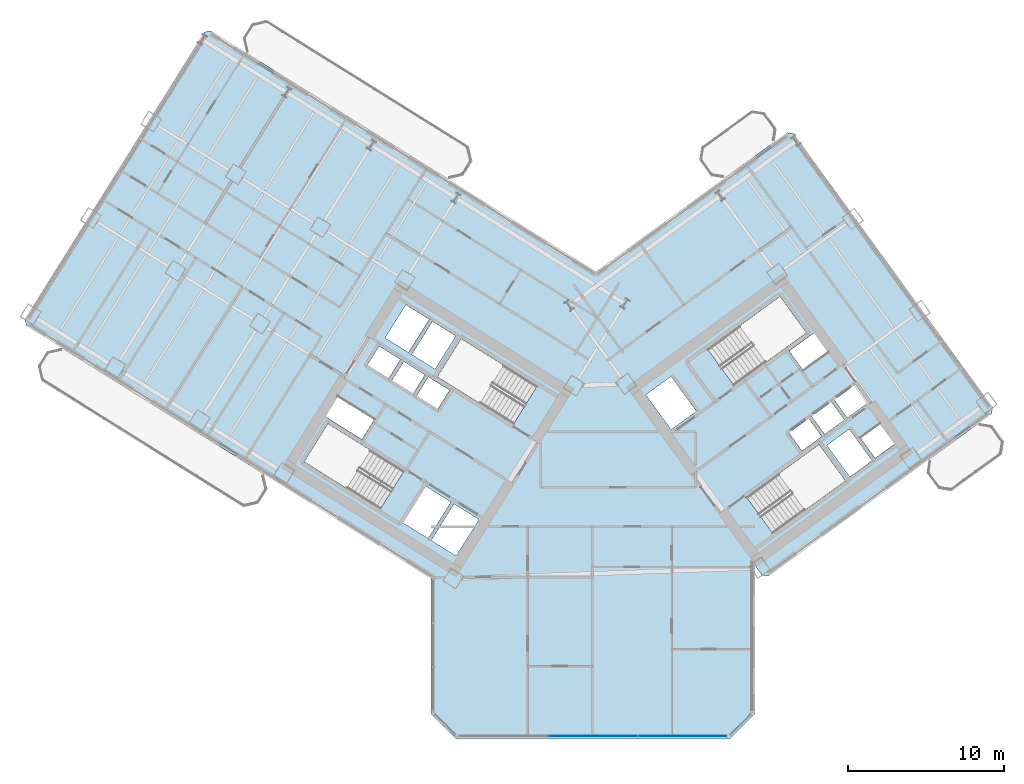
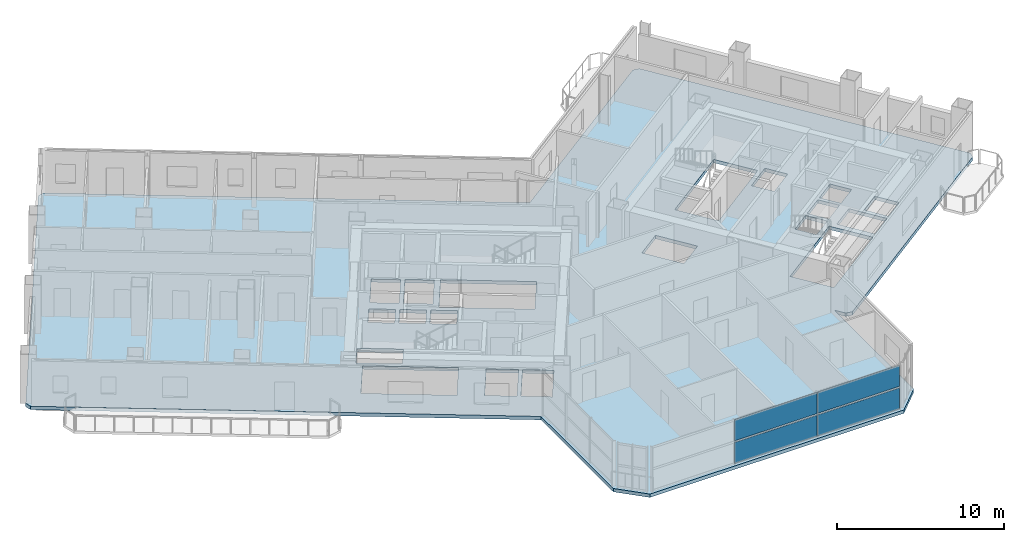
# One storey, part 9 of 21: 4 plates, 1 slab, 1 element without a shape of its own.
"""IFC4 building model written with IfcOpenShell, lengths in metres."""

from ifc_helpers import new_model, si_unit, direction, frame, origin, origin_2d, place, context, subcontext, project, spatial, polyline, rectangle, outline, extrude, source, transform, mapped, material, layer, layer_set, type_object, element, aggregate, save


model = new_model("IFC4")

# Units and contexts
model_context = context("Model", 3, precision=1e-05, world=origin(), true_north=direction((0.0, 1.0)))
body_context = subcontext(model_context, "Body", "Model", "MODEL_VIEW")
ifc_project = project(units=[si_unit("LENGTHUNIT", "METRE"), si_unit("AREAUNIT", "SQUARE_METRE"), si_unit("VOLUMEUNIT", "CUBIC_METRE"), si_unit("PLANEANGLEUNIT", "RADIAN"), si_unit("MASSUNIT", "GRAM", prefix="KILO")], contexts=[model_context])

# Site, building, storey
site_placement = place(None, origin())
site = spatial("IfcSite", under=ifc_project, at=site_placement, CompositionType="ELEMENT")
building_placement = place(site_placement, origin())
building = spatial("IfcBuilding", under=site, at=building_placement, Name="Tlacorven Tower", CompositionType="ELEMENT")
storey_placement = place(building_placement, frame((0.0, 0.0, 81.0)))
storey = spatial("IfcBuildingStorey", under=building, at=storey_placement, Name="L20", CompositionType="ELEMENT", Elevation=81.0)

# Slab
ifc_material_1 = material(Name="Concrete C40/50", Category="concrete")
ifc_layer_1 = layer(ifc_material_1, 0.25)
ifc_layer_set_1 = layer_set([ifc_layer_1], Name="Concrete C40/50")
slab_type = type_object("IfcSlabType", Name="SL-TWR-250", PredefinedType="FLOOR", material=ifc_layer_set_1)
slab_placement = place(storey_placement, frame((0.0, 0.0, -0.25)))
element("IfcSlab", 1, at=slab_placement, inside=storey, type_object=slab_type, Name="L20 Boomerang Tower Floor Slab", PredefinedType="FLOOR", context=body_context, shape_type="SweptSolid", body=[
    extrude(outline(polyline([(52.39990234375, 3.39990234375), (50.800048828125, 1.800048828125), (33.199951171875, 1.800048828125), (31.60009765625, 3.39990234375), (31.60009765625, 12.09423828125), (5.62451171875, 28.32568359375), (5.529052734375, 28.739013671875), (17.0390625, 47.15869140625), (17.452392578125, 47.254150390625), (42.19970703125, 31.790283203125), (54.481689453125, 40.713623046875), (54.90087890625, 40.647216796875), (67.66748046875, 23.075439453125), (67.60107421875, 22.656494140625), (53.265380859375, 12.24072265625), (52.846435546875, 12.30712890625), (52.39990234375, 12.921630859375), (52.39990234375, 3.39990234375)]), holes=[polyline([(29.865478515625, 18.979736328125), (24.9892578125, 22.02685546875), (23.463134765625, 19.58447265625), (28.33935546875, 16.537353515625), (29.865478515625, 18.979736328125)]), polyline([(38.4169921875, 24.4375), (33.540771484375, 27.484375), (32.0146484375, 25.0419921875), (36.890869140625, 21.9951171875), (38.4169921875, 24.4375)]), polyline([(51.05908203125, 24.481689453125), (55.7109375, 27.861572265625), (54.01806640625, 30.19140625), (49.3662109375, 26.811767578125), (51.05908203125, 24.481689453125)]), polyline([(53.56298828125, 14.978759765625), (58.21484375, 18.3583984375), (56.52197265625, 20.6884765625), (51.8701171875, 17.30859375), (53.56298828125, 14.978759765625)]), polyline([(34.682373046875, 15.87548828125), (33.088134765625, 16.871826171875), (31.62548828125, 14.531005859375), (33.2197265625, 13.534912109375), (34.682373046875, 15.87548828125)]), polyline([(32.884521484375, 16.9990234375), (31.2392578125, 18.02685546875), (29.77685546875, 15.686279296875), (31.421875, 14.658203125), (32.884521484375, 16.9990234375)]), polyline([(47.0234375, 21.648681640625), (48.6416015625, 22.82421875), (47.019287109375, 25.05712890625), (45.401123046875, 23.881591796875), (47.0234375, 21.648681640625)]), polyline([(33.197265625, 27.65185546875), (31.704833984375, 28.58447265625), (30.3798828125, 26.46435546875), (31.87255859375, 25.53173828125), (33.197265625, 27.65185546875)]), polyline([(31.484375, 28.722412109375), (29.99169921875, 29.655029296875), (28.6669921875, 27.534912109375), (30.159423828125, 26.602294921875), (31.484375, 28.722412109375)]), polyline([(32.794921875, 24.17724609375), (31.43798828125, 25.025146484375), (30.685546875, 23.82080078125), (32.042236328125, 22.972900390625), (32.794921875, 24.17724609375)]), polyline([(31.217529296875, 25.162841796875), (29.860595703125, 26.0107421875), (29.108154296875, 24.806396484375), (30.465087890625, 23.958740234375), (31.217529296875, 25.162841796875)]), polyline([(29.64013671875, 26.1484375), (28.283203125, 26.996337890625), (27.53076171875, 25.792236328125), (28.8876953125, 24.9443359375), (29.64013671875, 26.1484375)]), polyline([(55.427734375, 20.288818359375), (56.68994140625, 21.205810546875), (55.855224609375, 22.354736328125), (54.59326171875, 21.437744140625), (55.427734375, 20.288818359375)]), polyline([(56.884033203125, 21.346923828125), (58.146240234375, 22.263916015625), (57.3115234375, 23.41259765625), (56.04931640625, 22.495849609375), (56.884033203125, 21.346923828125)]), polyline([(58.34033203125, 22.405029296875), (59.602294921875, 23.322021484375), (58.767578125, 24.470703125), (57.505615234375, 23.5537109375), (58.34033203125, 22.405029296875)]), polyline([(58.498779296875, 18.614013671875), (59.922607421875, 19.648681640625), (58.453125, 21.671142578125), (57.029296875, 20.63671875), (58.498779296875, 18.614013671875)]), polyline([(27.96142578125, 22.2919921875), (25.603759765625, 23.76513671875), (24.80908203125, 22.4931640625), (27.16650390625, 21.02001953125), (27.96142578125, 22.2919921875)]), polyline([(55.490478515625, 25.4765625), (57.092529296875, 26.640380859375), (56.210693359375, 27.85400390625), (54.60888671875, 26.690185546875), (55.490478515625, 25.4765625)]), polyline([(60.12109375, 19.817626953125), (61.38330078125, 20.734619140625), (60.45458984375, 22.012939453125), (59.192626953125, 21.095947265625), (60.12109375, 19.817626953125)])]), origin(), (0.0, 0.0, 1.0), 0.25),
])

# Curtain wall, plates
ifc_material_2 = material(Name="Dark solar low-E double glazing in aluminium frame", Category="aluminium")
curtain_wall_type = type_object("IfcCurtainWallType", Name="CW-TWR-LOW", PredefinedType="USERDEFINED", material=ifc_material_2)
curtain_wall_placement = place(storey_placement, origin())
curtain_wall = element("IfcCurtainWall", 2, at=curtain_wall_placement, inside=storey, type_object=curtain_wall_type, Name="L20 CW-TWR-LOW Curtain Wall 108", ObjectType="UNITISED CURTAIN WALL", PredefinedType="USERDEFINED")
ifc_material_3 = material(Name="Dark solar double low-E glazing", Category="glass")
ifc_layer_2 = layer(ifc_material_3, 0.031982421875)
ifc_layer_set_2 = layer_set([ifc_layer_2], Name="Dark solar double low-E glazing")
plate_type = type_object("IfcPlateType", Name="CWP-02", PredefinedType="CURTAIN_PANEL", material=ifc_layer_set_2)
shared_shape_1 = source(origin(), body_context, "Body", "SweptSolid", [
    extrude(rectangle(XDim=5.668701171875, YDim=0.031982421875, at=origin_2d()), origin(), (0.0, 0.0, 1.0), 1.5380859375),
])
plate_1_placement = place(storey_placement, frame((47.73828125, 1.9599609375, 0.06103515625), z_axis=(0.0, 0.0, 1.0), x_axis=(-1.0, 0.0, 0.0)))
plate_1 = element("IfcPlate", 3, at=plate_1_placement, type_object=plate_type, Name="CW-L20-108 Glazing Panel 1", PredefinedType="CURTAIN_PANEL", context=body_context, shape_type="MappedRepresentation", body=[
    mapped(shared_shape_1, transform((0.0, 0.0, 0.0), scale=1.0)),
])
plate_2_placement = place(storey_placement, frame((47.73828125, 1.9599609375, 1.720947265625), z_axis=(0.0, 0.0, 1.0), x_axis=(-1.0, 0.0, 0.0)))
plate_2 = element("IfcPlate", 4, at=plate_2_placement, type_object=plate_type, Name="CW-L20-108 Glazing Panel 2", PredefinedType="CURTAIN_PANEL", context=body_context, shape_type="MappedRepresentation", body=[
    mapped(shared_shape_1, transform((0.0, 0.0, 0.0), scale=1.0)),
])
shared_shape_2 = source(origin(), body_context, "Body", "SweptSolid", [
    extrude(rectangle(XDim=5.703857421875, YDim=0.031982421875, at=origin_2d()), origin(), (0.0, 0.0, 1.0), 1.5380859375),
])
plate_3_placement = place(storey_placement, frame((42.0, 1.9599609375, 0.06103515625), z_axis=(0.0, 0.0, 1.0), x_axis=(-1.0, 0.0, 0.0)))
plate_3 = element("IfcPlate", 5, at=plate_3_placement, type_object=plate_type, Name="CW-L20-108 Glazing Panel 3", PredefinedType="CURTAIN_PANEL", context=body_context, shape_type="MappedRepresentation", body=[
    mapped(shared_shape_2, transform((0.0, 0.0, 0.0), scale=1.0)),
])
plate_4_placement = place(storey_placement, frame((42.0, 1.9599609375, 1.720947265625), z_axis=(0.0, 0.0, 1.0), x_axis=(-1.0, 0.0, 0.0)))
plate_4 = element("IfcPlate", 6, at=plate_4_placement, type_object=plate_type, Name="CW-L20-108 Glazing Panel 4", PredefinedType="CURTAIN_PANEL", context=body_context, shape_type="MappedRepresentation", body=[
    mapped(shared_shape_2, transform((0.0, 0.0, 0.0), scale=1.0)),
])
aggregate(curtain_wall, [plate_1, plate_2, plate_3, plate_4])

save(model, "model.ifc")
